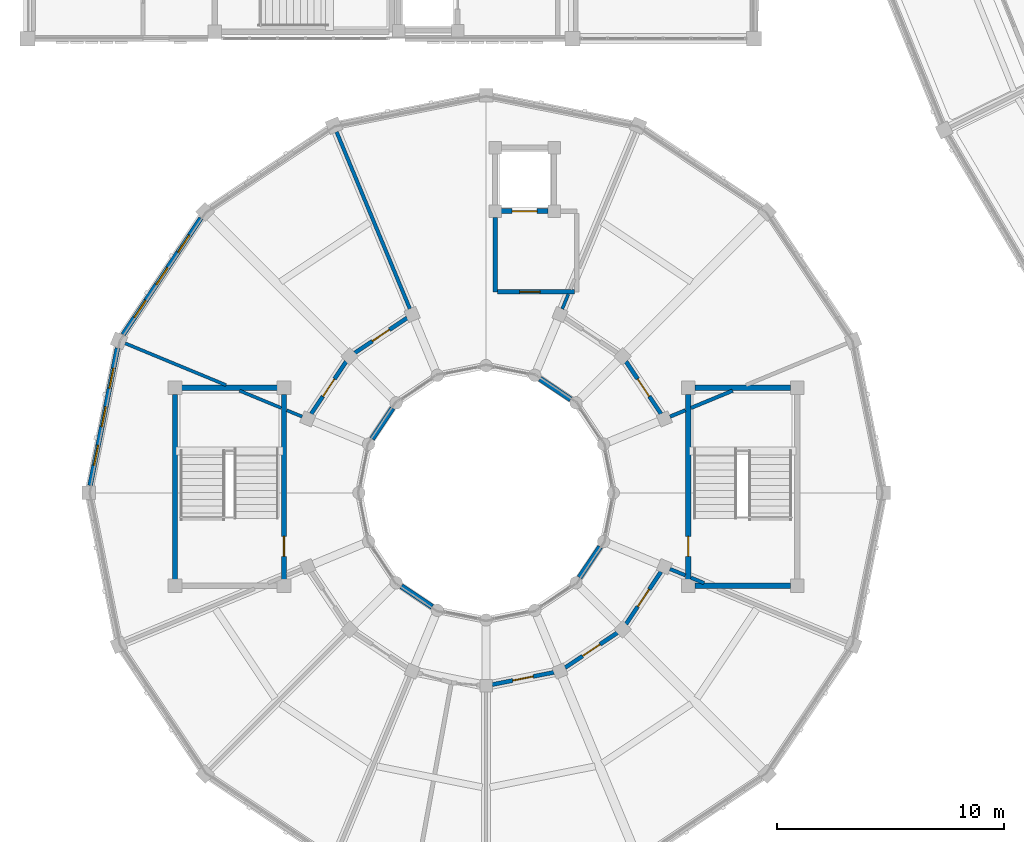
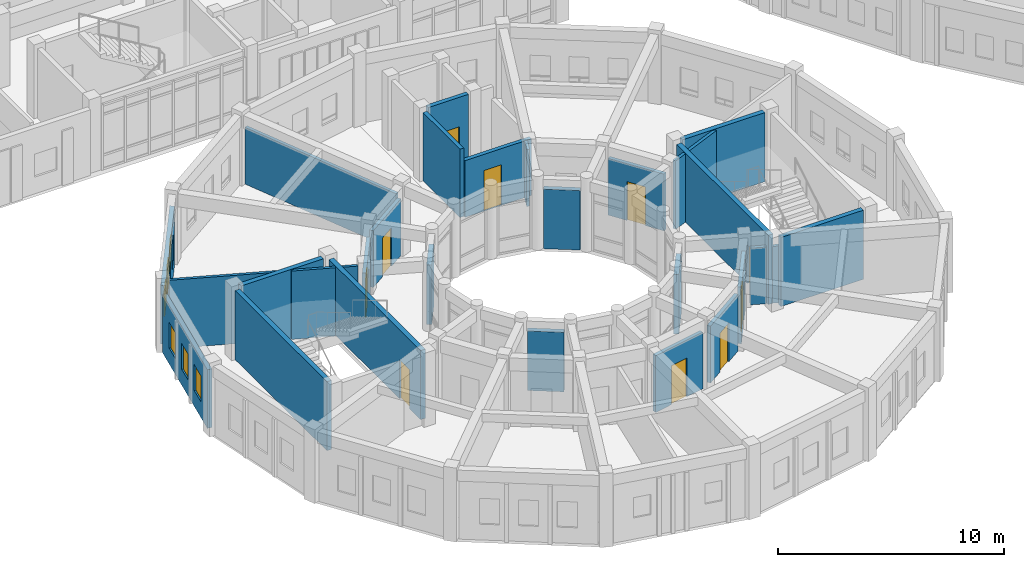
# One storey, part 74 of 112: 30 walls, 10 doors, 6 windows, 16 openings.
"""IFC4 building model written with IfcOpenShell, lengths in metres."""

from ifc_helpers import new_model, si_unit, direction, frame, frame_2d, origin, place, context, subcontext, project, spatial, rectangle, extrude, material, layer, layer_set, type_object, element, fill, save


model = new_model("IFC4")

# Units and contexts
model_context = context("Model", 3, precision=1e-05, world=origin(), true_north=direction((0.0, 1.0)))
body_context = subcontext(model_context, "Body", "Model", "MODEL_VIEW")
ifc_project = project(units=[si_unit("LENGTHUNIT", "METRE"), si_unit("AREAUNIT", "SQUARE_METRE"), si_unit("VOLUMEUNIT", "CUBIC_METRE"), si_unit("PLANEANGLEUNIT", "RADIAN"), si_unit("MASSUNIT", "GRAM", prefix="KILO")], contexts=[model_context])

# Site, building, storey
site_placement = place(None, origin())
site = spatial("IfcSite", under=ifc_project, at=site_placement, CompositionType="ELEMENT")
building_placement = place(site_placement, origin())
building = spatial("IfcBuilding", under=site, at=building_placement, Name="Celadon Cloister-Ring School", CompositionType="ELEMENT")
storey_placement = place(building_placement, frame((0.0, 0.0, 8.5)))
storey = spatial("IfcBuildingStorey", under=building, at=storey_placement, Name="L02", CompositionType="ELEMENT", Elevation=8.5)

# Walls
ifc_material_1 = material(Name="Rendered concrete blockwork", Category="masonry")
ifc_layer_1 = layer(ifc_material_1, 0.239990234375)
ifc_layer_set_1 = layer_set([ifc_layer_1], Name="Rendered concrete blockwork")
wall_type_1 = type_object("IfcWallType", Name="WT-EX3", PredefinedType="SOLIDWALL", material=ifc_layer_set_1)
for number, where, z_axis, x_axis, name in (
    (1, (23.929931640625, 24.114013671875, 0.0), (0.0, 0.0, 1.0), (-0.83165874011, 0.555287078904, 0.0), "Exterior Wall 0334"),
    (2, (16.0859375, 23.72998046875, 0.0), (0.0, 0.0, 1.0), (-0.555287078904, -0.83165874011, 0.0), "Exterior Wall 0339"),
    (3, (16.469970703125, 15.885986328125, 0.0), (0.0, 0.0, 1.0), (0.83165874011, -0.555287078904, 0.0), "Exterior Wall 0344"),
    (4, (24.31396484375, 16.27001953125, 0.0), (0.0, 0.0, 1.0), (0.555287078904, 0.83165874011, 0.0), "Exterior Wall 0349"),
):
    element("IfcWall", number, at=place(storey_placement, frame(where, z_axis=z_axis, x_axis=x_axis)), inside=storey, type_object=wall_type_1, Name=name, PredefinedType="SOLIDWALL", context=body_context, shape_type="SweptSolid", body=[
        extrude(rectangle(XDim=1.631591796875, YDim=0.239990234375, at=frame_2d((0.81591796875, 0.0))), origin(), (0.0, 0.0, 1.0), 3.221923828125),
    ])

# Wall, openings, windows
ifc_material_2 = material(Name="Perforated terracotta clay brick masonry", Category="masonry")
ifc_layer_2 = layer(ifc_material_2, 0.219970703125)
ifc_layer_set_2 = layer_set([ifc_layer_2], Name="Perforated terracotta clay brick masonry")
wall_type_2 = type_object("IfcWallType", Name="WT-EX4", PredefinedType="SOLIDWALL", material=ifc_layer_set_2)
wall_1_placement = place(storey_placement, frame((4.215087890625, 26.970947265625, 0.0), z_axis=(0.0, 0.0, 1.0), x_axis=(0.555658736667, 0.831410469242, 0.0)))
wall_1 = element("IfcWall", 5, at=wall_1_placement, inside=storey, type_object=wall_type_2, Name="Exterior Wall 0338", PredefinedType="SOLIDWALL", context=body_context, shape_type="SweptSolid", body=[
    extrude(rectangle(XDim=6.169189453125, YDim=0.219970703125, at=frame_2d((3.08447265625, 0.0))), origin(), (0.0, 0.0, 1.0), 3.172119140625),
])
opening_1_placement = place(wall_1_placement, frame((0.906982421875, 0.0, 0.85009765625)))
opening_1 = element("IfcOpeningElement", 6, at=opening_1_placement, cuts=wall_1, Name="Opening WN-21", PredefinedType="OPENING", context=body_context, shape_type="SweptSolid", body=[
    extrude(rectangle(XDim=0.89990234375, YDim=1.39990234375, at=frame_2d((0.449951171875, 0.699951171875))), frame((0.0, 0.1201171875, 0.0), z_axis=(0.0, -1.0, 0.0), x_axis=(1.0, 0.0, 0.0)), (0.0, 0.0, 1.0), 0.239990234375),
])
opening_2_placement = place(wall_1_placement, frame((2.635009765625, 0.0, 0.85009765625)))
opening_2 = element("IfcOpeningElement", 7, at=opening_2_placement, cuts=wall_1, Name="Opening WN-21", PredefinedType="OPENING", context=body_context, shape_type="SweptSolid", body=[
    extrude(rectangle(XDim=0.89990234375, YDim=1.39990234375, at=frame_2d((0.449951171875, 0.699951171875))), frame((0.0, 0.1201171875, 0.0), z_axis=(0.0, -1.0, 0.0), x_axis=(1.0, 0.0, 0.0)), (0.0, 0.0, 1.0), 0.239990234375),
])
opening_3_placement = place(wall_1_placement, frame((4.362060546875, 0.0, 0.85009765625)))
opening_3 = element("IfcOpeningElement", 8, at=opening_3_placement, cuts=wall_1, Name="Opening WN-21", PredefinedType="OPENING", context=body_context, shape_type="SweptSolid", body=[
    extrude(rectangle(XDim=0.89990234375, YDim=1.39990234375, at=frame_2d((0.449951171875, 0.699951171875))), frame((0.0, 0.1201171875, 0.0), z_axis=(0.0, -1.0, 0.0), x_axis=(1.0, 0.0, 0.0)), (0.0, 0.0, 1.0), 0.239990234375),
])
ifc_material_3 = material(Name="Tempered laminated insulating glass", Category="glass")
window_type = type_object("IfcWindowType", Name="WN-21", PartitioningType="SINGLE_PANEL", PredefinedType="WINDOW", material=ifc_material_3)
window_1_placement = place(opening_1_placement, origin())
window_1 = element("IfcWindow", 9, at=window_1_placement, inside=storey, type_object=window_type, Name="Window 0869", OverallHeight=1.39990234375, OverallWidth=0.89990234375, PartitioningType="SINGLE_PANEL", PredefinedType="WINDOW", context=body_context, shape_type="SweptSolid", body=[
    extrude(rectangle(XDim=0.89990234375, YDim=1.39990234375, at=frame_2d((0.449951171875, 0.699951171875))), frame((0.0, 0.030029296875, 0.0), z_axis=(0.0, -1.0, 0.0), x_axis=(1.0, 0.0, 0.0)), (0.0, 0.0, 1.0), 0.06005859375),
])
fill(opening_1, window_1)
window_2_placement = place(opening_2_placement, origin())
window_2 = element("IfcWindow", 10, at=window_2_placement, inside=storey, type_object=window_type, Name="Window 0870", OverallHeight=1.39990234375, OverallWidth=0.89990234375, PartitioningType="SINGLE_PANEL", PredefinedType="WINDOW", context=body_context, shape_type="SweptSolid", body=[
    extrude(rectangle(XDim=0.89990234375, YDim=1.39990234375, at=frame_2d((0.449951171875, 0.699951171875))), frame((0.0, 0.030029296875, 0.0), z_axis=(0.0, -1.0, 0.0), x_axis=(1.0, 0.0, 0.0)), (0.0, 0.0, 1.0), 0.06005859375),
])
fill(opening_2, window_2)
window_3_placement = place(opening_3_placement, origin())
window_3 = element("IfcWindow", 11, at=window_3_placement, inside=storey, type_object=window_type, Name="Window 0871", OverallHeight=1.39990234375, OverallWidth=0.89990234375, PartitioningType="SINGLE_PANEL", PredefinedType="WINDOW", context=body_context, shape_type="SweptSolid", body=[
    extrude(rectangle(XDim=0.89990234375, YDim=1.39990234375, at=frame_2d((0.449951171875, 0.699951171875))), frame((0.0, 0.030029296875, 0.0), z_axis=(0.0, -1.0, 0.0), x_axis=(1.0, 0.0, 0.0)), (0.0, 0.0, 1.0), 0.06005859375),
])
fill(opening_3, window_3)

wall_2_placement = place(storey_placement, frame((2.763916015625, 20.322998046875, 0.0), z_axis=(0.0, 0.0, 1.0), x_axis=(0.195164813773, 0.980770460131, 0.0)))
wall_2 = element("IfcWall", 12, at=wall_2_placement, inside=storey, type_object=wall_type_2, Name="Exterior Wall 0340", PredefinedType="SOLIDWALL", context=body_context, shape_type="SweptSolid", body=[
    extrude(rectangle(XDim=6.169677734375, YDim=0.219970703125, at=frame_2d((3.0849609375, 0.0))), origin(), (0.0, 0.0, 1.0), 3.172119140625),
])
opening_4_placement = place(wall_2_placement, frame((0.906982421875, 0.0, 0.85009765625)))
opening_4 = element("IfcOpeningElement", 13, at=opening_4_placement, cuts=wall_2, Name="Opening WN-21", PredefinedType="OPENING", context=body_context, shape_type="SweptSolid", body=[
    extrude(rectangle(XDim=0.89990234375, YDim=1.39990234375, at=frame_2d((0.449951171875, 0.699951171875))), frame((0.0, 0.1201171875, 0.0), z_axis=(0.0, -1.0, 0.0), x_axis=(1.0, 0.0, 0.0)), (0.0, 0.0, 1.0), 0.239990234375),
])
opening_5_placement = place(wall_2_placement, frame((2.635009765625, 0.0, 0.85009765625)))
opening_5 = element("IfcOpeningElement", 14, at=opening_5_placement, cuts=wall_2, Name="Opening WN-21", PredefinedType="OPENING", context=body_context, shape_type="SweptSolid", body=[
    extrude(rectangle(XDim=0.89990234375, YDim=1.39990234375, at=frame_2d((0.449951171875, 0.699951171875))), frame((0.0, 0.1201171875, 0.0), z_axis=(0.0, -1.0, 0.0), x_axis=(1.0, 0.0, 0.0)), (0.0, 0.0, 1.0), 0.239990234375),
])
opening_6_placement = place(wall_2_placement, frame((4.362060546875, 0.0, 0.85009765625)))
opening_6 = element("IfcOpeningElement", 15, at=opening_6_placement, cuts=wall_2, Name="Opening WN-21", PredefinedType="OPENING", context=body_context, shape_type="SweptSolid", body=[
    extrude(rectangle(XDim=0.89990234375, YDim=1.39990234375, at=frame_2d((0.449951171875, 0.699951171875))), frame((0.0, 0.1201171875, 0.0), z_axis=(0.0, -1.0, 0.0), x_axis=(1.0, 0.0, 0.0)), (0.0, 0.0, 1.0), 0.239990234375),
])
window_4_placement = place(opening_4_placement, origin())
window_4 = element("IfcWindow", 16, at=window_4_placement, inside=storey, type_object=window_type, Name="Window 0872", OverallHeight=1.39990234375, OverallWidth=0.89990234375, PartitioningType="SINGLE_PANEL", PredefinedType="WINDOW", context=body_context, shape_type="SweptSolid", body=[
    extrude(rectangle(XDim=0.89990234375, YDim=1.39990234375, at=frame_2d((0.449951171875, 0.699951171875))), frame((0.0, 0.030029296875, 0.0), z_axis=(0.0, -1.0, 0.0), x_axis=(1.0, 0.0, 0.0)), (0.0, 0.0, 1.0), 0.06005859375),
])
fill(opening_4, window_4)
window_5_placement = place(opening_5_placement, origin())
window_5 = element("IfcWindow", 17, at=window_5_placement, inside=storey, type_object=window_type, Name="Window 0873", OverallHeight=1.39990234375, OverallWidth=0.89990234375, PartitioningType="SINGLE_PANEL", PredefinedType="WINDOW", context=body_context, shape_type="SweptSolid", body=[
    extrude(rectangle(XDim=0.89990234375, YDim=1.39990234375, at=frame_2d((0.449951171875, 0.699951171875))), frame((0.0, 0.030029296875, 0.0), z_axis=(0.0, -1.0, 0.0), x_axis=(1.0, 0.0, 0.0)), (0.0, 0.0, 1.0), 0.06005859375),
])
fill(opening_5, window_5)
window_6_placement = place(opening_6_placement, origin())
window_6 = element("IfcWindow", 18, at=window_6_placement, inside=storey, type_object=window_type, Name="Window 0874", OverallHeight=1.39990234375, OverallWidth=0.89990234375, PartitioningType="SINGLE_PANEL", PredefinedType="WINDOW", context=body_context, shape_type="SweptSolid", body=[
    extrude(rectangle(XDim=0.89990234375, YDim=1.39990234375, at=frame_2d((0.449951171875, 0.699951171875))), frame((0.0, 0.030029296875, 0.0), z_axis=(0.0, -1.0, 0.0), x_axis=(1.0, 0.0, 0.0)), (0.0, 0.0, 1.0), 0.06005859375),
])
fill(opening_6, window_6)

# Wall
ifc_material_4 = material(Name="Plastered hollow concrete masonry", Category="masonry")
ifc_layer_3 = layer(ifc_material_4, 0.199951171875)
ifc_layer_set_3 = layer_set([ifc_layer_3], Name="Plastered hollow concrete masonry")
wall_type_3 = type_object("IfcWallType", Name="WT-PT1", PredefinedType="PARTITIONING", material=ifc_layer_set_3)
wall_3_placement = place(storey_placement, frame((20.60009765625, 28.85009765625, 0.0), z_axis=(0.0, 0.0, 1.0), x_axis=(0.0, 1.0, 0.0)))
element("IfcWall", 19, at=wall_3_placement, inside=storey, type_object=wall_type_3, Name="Interior Wall 0388", PredefinedType="PARTITIONING", context=body_context, shape_type="SweptSolid", body=[
    extrude(rectangle(XDim=3.282958984375, YDim=0.199951171875, at=frame_2d((1.6416015625, 0.0))), origin(), (0.0, 0.0, 1.0), 3.699951171875),
])

# Wall, opening, door
wall_4_placement = place(storey_placement, frame((24.096923828125, 28.85009765625, 0.0), z_axis=(0.0, 0.0, 1.0), x_axis=(-1.0, 0.0, 0.0)))
wall_4 = element("IfcWall", 20, at=wall_4_placement, inside=storey, type_object=wall_type_3, Name="Interior Wall 0390", PredefinedType="PARTITIONING", context=body_context, shape_type="SweptSolid", body=[
    extrude(rectangle(XDim=3.39404296875, YDim=0.199951171875, at=frame_2d((1.697021484375, 0.0))), origin(), (0.0, 0.0, 1.0), 3.072021484375),
])
opening_7_placement = place(wall_4_placement, frame((1.51904296875, 0.0, 0.0)))
opening_7 = element("IfcOpeningElement", 21, at=opening_7_placement, cuts=wall_4, Name="Opening D-0107", PredefinedType="OPENING", context=body_context, shape_type="SweptSolid", body=[
    extrude(rectangle(XDim=0.89990234375, YDim=2.199951171875, at=frame_2d((0.449951171875, 1.10009765625))), frame((0.0, 0.10986328125, 0.0), z_axis=(0.0, -1.0, 0.0), x_axis=(1.0, 0.0, 0.0)), (0.0, 0.0, 1.0), 0.219970703125),
])
ifc_material_5 = material(Name="Solid-core fire-rated hardwood leaf", Category="wood")
door_type_1 = type_object("IfcDoorType", Name="DT-06", OperationType="NOTDEFINED", PredefinedType="DOOR", material=ifc_material_5)
door_1_placement = place(opening_7_placement, origin())
door_1 = element("IfcDoor", 22, at=door_1_placement, inside=storey, type_object=door_type_1, Name="Door D-0107", OperationType="SINGLE_SWING_LEFT", OverallHeight=2.199951171875, OverallWidth=0.89990234375, PredefinedType="DOOR", context=body_context, shape_type="SweptSolid", body=[
    extrude(rectangle(XDim=0.89990234375, YDim=2.199951171875, at=frame_2d((0.449951171875, 1.10009765625))), frame((0.0, 0.02490234375, 0.0), z_axis=(0.0, -1.0, 0.0), x_axis=(1.0, 0.0, 0.0)), (0.0, 0.0, 1.0), 0.050048828125),
])
fill(opening_7, door_1)

ifc_material_6 = material(Name="Plastered hollow concrete masonry", Category="masonry")
ifc_layer_4 = layer(ifc_material_6, 0.179931640625)
ifc_layer_set_4 = layer_set([ifc_layer_4], Name="Plastered hollow concrete masonry")
wall_type_4 = type_object("IfcWallType", Name="WT-PT2", PredefinedType="PARTITIONING", material=ifc_layer_set_4)
wall_5_placement = place(storey_placement, frame((27.902099609375, 23.47900390625, 0.0), z_axis=(0.0, 0.0, 1.0), x_axis=(-0.555797002478, 0.831318045056, 0.0)))
wall_5 = element("IfcWall", 23, at=wall_5_placement, inside=storey, type_object=wall_type_4, Name="Interior Wall 0836", PredefinedType="PARTITIONING", context=body_context, shape_type="SweptSolid", body=[
    extrude(rectangle(XDim=2.772705078125, YDim=0.179931640625, at=frame_2d((1.38623046875, 0.0))), origin(), (0.0, 0.0, 1.0), 3.072021484375),
])
opening_8_placement = place(wall_5_placement, frame((0.926025390625, 0.0, 0.0)))
opening_8 = element("IfcOpeningElement", 24, at=opening_8_placement, cuts=wall_5, Name="Opening D-0300", PredefinedType="OPENING", context=body_context, shape_type="SweptSolid", body=[
    extrude(rectangle(XDim=0.919921875, YDim=2.10009765625, at=frame_2d((0.4599609375, 1.050048828125))), frame((0.0, 0.10009765625, 0.0), z_axis=(0.0, -1.0, 0.0), x_axis=(1.0, 0.0, 0.0)), (0.0, 0.0, 1.0), 0.199951171875),
])
ifc_material_7 = material(Name="Solid-core fire-rated hardwood leaf", Category="wood")
door_type_2 = type_object("IfcDoorType", Name="DT-02", OperationType="NOTDEFINED", PredefinedType="DOOR", material=ifc_material_7)
door_2_placement = place(opening_8_placement, origin())
door_2 = element("IfcDoor", 25, at=door_2_placement, inside=storey, type_object=door_type_2, Name="Door D-0300", OperationType="SINGLE_SWING_RIGHT", OverallHeight=2.10009765625, OverallWidth=0.919921875, PredefinedType="DOOR", context=body_context, shape_type="SweptSolid", body=[
    extrude(rectangle(XDim=0.919921875, YDim=2.10009765625, at=frame_2d((0.4599609375, 1.050048828125))), frame((0.0, 0.02490234375, 0.0), z_axis=(0.0, -1.0, 0.0), x_axis=(1.0, 0.0, 0.0)), (0.0, 0.0, 1.0), 0.050048828125),
])
fill(opening_8, door_2)

wall_6_placement = place(storey_placement, frame((16.720947265625, 27.701904296875, 0.0), z_axis=(0.0, 0.0, 1.0), x_axis=(-0.831318045056, -0.555797002478, 0.0)))
wall_6 = element("IfcWall", 26, at=wall_6_placement, inside=storey, type_object=wall_type_4, Name="Interior Wall 0838", PredefinedType="PARTITIONING", context=body_context, shape_type="SweptSolid", body=[
    extrude(rectangle(XDim=2.772705078125, YDim=0.179931640625, at=frame_2d((1.38623046875, 0.0))), origin(), (0.0, 0.0, 1.0), 3.072021484375),
])
opening_9_placement = place(wall_6_placement, frame((0.926025390625, 0.0, 0.0)))
opening_9 = element("IfcOpeningElement", 27, at=opening_9_placement, cuts=wall_6, Name="Opening D-0302", PredefinedType="OPENING", context=body_context, shape_type="SweptSolid", body=[
    extrude(rectangle(XDim=0.919921875, YDim=2.10009765625, at=frame_2d((0.4599609375, 1.050048828125))), frame((0.0, 0.10009765625, 0.0), z_axis=(0.0, -1.0, 0.0), x_axis=(1.0, 0.0, 0.0)), (0.0, 0.0, 1.0), 0.199951171875),
])
door_3_placement = place(opening_9_placement, origin())
door_3 = element("IfcDoor", 28, at=door_3_placement, inside=storey, type_object=door_type_2, Name="Door D-0302", OperationType="SINGLE_SWING_RIGHT", OverallHeight=2.10009765625, OverallWidth=0.919921875, PredefinedType="DOOR", context=body_context, shape_type="SweptSolid", body=[
    extrude(rectangle(XDim=0.919921875, YDim=2.10009765625, at=frame_2d((0.4599609375, 1.050048828125))), frame((0.0, 0.02490234375, 0.0), z_axis=(0.0, -1.0, 0.0), x_axis=(1.0, 0.0, 0.0)), (0.0, 0.0, 1.0), 0.050048828125),
])
fill(opening_9, door_3)

wall_7_placement = place(storey_placement, frame((14.0390625, 25.783935546875, 0.0), z_axis=(0.0, 0.0, 1.0), x_axis=(-0.555797002478, -0.831318045056, 0.0)))
wall_7 = element("IfcWall", 29, at=wall_7_placement, inside=storey, type_object=wall_type_4, Name="Interior Wall 0839", PredefinedType="PARTITIONING", context=body_context, shape_type="SweptSolid", body=[
    extrude(rectangle(XDim=2.772705078125, YDim=0.179931640625, at=frame_2d((1.38623046875, 0.0))), origin(), (0.0, 0.0, 1.0), 3.072021484375),
])
opening_10_placement = place(wall_7_placement, frame((0.926025390625, 0.0, 0.0)))
opening_10 = element("IfcOpeningElement", 30, at=opening_10_placement, cuts=wall_7, Name="Opening D-0303", PredefinedType="OPENING", context=body_context, shape_type="SweptSolid", body=[
    extrude(rectangle(XDim=0.919921875, YDim=2.10009765625, at=frame_2d((0.4599609375, 1.050048828125))), frame((0.0, 0.10009765625, 0.0), z_axis=(0.0, -1.0, 0.0), x_axis=(1.0, 0.0, 0.0)), (0.0, 0.0, 1.0), 0.199951171875),
])
door_4_placement = place(opening_10_placement, origin())
door_4 = element("IfcDoor", 31, at=door_4_placement, inside=storey, type_object=door_type_2, Name="Door D-0303", OperationType="SINGLE_SWING_LEFT", OverallHeight=2.10009765625, OverallWidth=0.919921875, PredefinedType="DOOR", context=body_context, shape_type="SweptSolid", body=[
    extrude(rectangle(XDim=0.919921875, YDim=2.10009765625, at=frame_2d((0.4599609375, 1.050048828125))), frame((0.0, 0.02490234375, 0.0), z_axis=(0.0, -1.0, 0.0), x_axis=(1.0, 0.0, 0.0)), (0.0, 0.0, 1.0), 0.050048828125),
])
fill(opening_10, door_4)

wall_8_placement = place(storey_placement, frame((20.467041015625, 11.552978515625, 0.0), z_axis=(0.0, 0.0, 1.0), x_axis=(0.980773264811, 0.195150718759, 0.0)))
wall_8 = element("IfcWall", 32, at=wall_8_placement, inside=storey, type_object=wall_type_4, Name="Interior Wall 0844", PredefinedType="PARTITIONING", context=body_context, shape_type="SweptSolid", body=[
    extrude(rectangle(XDim=2.772216796875, YDim=0.179931640625, at=frame_2d((1.38623046875, 0.0))), origin(), (0.0, 0.0, 1.0), 3.072021484375),
])
opening_11_placement = place(wall_8_placement, frame((0.926025390625, 0.0, 0.0)))
opening_11 = element("IfcOpeningElement", 33, at=opening_11_placement, cuts=wall_8, Name="Opening D-0308", PredefinedType="OPENING", context=body_context, shape_type="SweptSolid", body=[
    extrude(rectangle(XDim=0.919921875, YDim=2.10009765625, at=frame_2d((0.4599609375, 1.050048828125))), frame((0.0, 0.10009765625, 0.0), z_axis=(0.0, -1.0, 0.0), x_axis=(1.0, 0.0, 0.0)), (0.0, 0.0, 1.0), 0.199951171875),
])
door_5_placement = place(opening_11_placement, origin())
door_5 = element("IfcDoor", 34, at=door_5_placement, inside=storey, type_object=door_type_2, Name="Door D-0308", OperationType="SINGLE_SWING_RIGHT", OverallHeight=2.10009765625, OverallWidth=0.919921875, PredefinedType="DOOR", context=body_context, shape_type="SweptSolid", body=[
    extrude(rectangle(XDim=0.919921875, YDim=2.10009765625, at=frame_2d((0.4599609375, 1.050048828125))), frame((0.0, 0.02490234375, 0.0), z_axis=(0.0, -1.0, 0.0), x_axis=(1.0, 0.0, 0.0)), (0.0, 0.0, 1.0), 0.050048828125),
])
fill(opening_11, door_5)

wall_9_placement = place(storey_placement, frame((23.678955078125, 12.298095703125, 0.0), z_axis=(0.0, 0.0, 1.0), x_axis=(0.831318045056, 0.555797002478, 0.0)))
wall_9 = element("IfcWall", 35, at=wall_9_placement, inside=storey, type_object=wall_type_4, Name="Interior Wall 0845", PredefinedType="PARTITIONING", context=body_context, shape_type="SweptSolid", body=[
    extrude(rectangle(XDim=2.772705078125, YDim=0.179931640625, at=frame_2d((1.38623046875, 0.0))), origin(), (0.0, 0.0, 1.0), 3.072021484375),
])
opening_12_placement = place(wall_9_placement, frame((0.926025390625, 0.0, 0.0)))
opening_12 = element("IfcOpeningElement", 36, at=opening_12_placement, cuts=wall_9, Name="Opening D-0309", PredefinedType="OPENING", context=body_context, shape_type="SweptSolid", body=[
    extrude(rectangle(XDim=0.919921875, YDim=2.10009765625, at=frame_2d((0.4599609375, 1.050048828125))), frame((0.0, 0.10009765625, 0.0), z_axis=(0.0, -1.0, 0.0), x_axis=(1.0, 0.0, 0.0)), (0.0, 0.0, 1.0), 0.199951171875),
])
door_6_placement = place(opening_12_placement, origin())
door_6 = element("IfcDoor", 37, at=door_6_placement, inside=storey, type_object=door_type_2, Name="Door D-0309", OperationType="SINGLE_SWING_LEFT", OverallHeight=2.10009765625, OverallWidth=0.919921875, PredefinedType="DOOR", context=body_context, shape_type="SweptSolid", body=[
    extrude(rectangle(XDim=0.919921875, YDim=2.10009765625, at=frame_2d((0.4599609375, 1.050048828125))), frame((0.0, 0.02490234375, 0.0), z_axis=(0.0, -1.0, 0.0), x_axis=(1.0, 0.0, 0.0)), (0.0, 0.0, 1.0), 0.050048828125),
])
fill(opening_12, door_6)

wall_10_placement = place(storey_placement, frame((26.361083984375, 14.216064453125, 0.0), z_axis=(0.0, 0.0, 1.0), x_axis=(0.555797002478, 0.831318045056, 0.0)))
wall_10 = element("IfcWall", 38, at=wall_10_placement, inside=storey, type_object=wall_type_4, Name="Interior Wall 0846", PredefinedType="PARTITIONING", context=body_context, shape_type="SweptSolid", body=[
    extrude(rectangle(XDim=2.772705078125, YDim=0.179931640625, at=frame_2d((1.38623046875, 0.0))), origin(), (0.0, 0.0, 1.0), 3.072021484375),
])
opening_13_placement = place(wall_10_placement, frame((0.926025390625, 0.0, 0.0)))
opening_13 = element("IfcOpeningElement", 39, at=opening_13_placement, cuts=wall_10, Name="Opening D-0310", PredefinedType="OPENING", context=body_context, shape_type="SweptSolid", body=[
    extrude(rectangle(XDim=0.919921875, YDim=2.10009765625, at=frame_2d((0.4599609375, 1.050048828125))), frame((0.0, 0.10009765625, 0.0), z_axis=(0.0, -1.0, 0.0), x_axis=(1.0, 0.0, 0.0)), (0.0, 0.0, 1.0), 0.199951171875),
])
door_7_placement = place(opening_13_placement, origin())
door_7 = element("IfcDoor", 40, at=door_7_placement, inside=storey, type_object=door_type_2, Name="Door D-0310", OperationType="SINGLE_SWING_RIGHT", OverallHeight=2.10009765625, OverallWidth=0.919921875, PredefinedType="DOOR", context=body_context, shape_type="SweptSolid", body=[
    extrude(rectangle(XDim=0.919921875, YDim=2.10009765625, at=frame_2d((0.4599609375, 1.050048828125))), frame((0.0, 0.02490234375, 0.0), z_axis=(0.0, -1.0, 0.0), x_axis=(1.0, 0.0, 0.0)), (0.0, 0.0, 1.0), 0.050048828125),
])
fill(opening_13, door_7)

# Walls
ifc_material_8 = material(Name="Plastered hollow concrete masonry", Category="masonry")
ifc_layer_5 = layer(ifc_material_8, 0.159912109375)
ifc_layer_set_5 = layer_set([ifc_layer_5], Name="Plastered hollow concrete masonry")
wall_type_5 = type_object("IfcWallType", Name="WT-PT3", PredefinedType="PARTITIONING", material=ifc_layer_set_5)
wall_11_placement = place(storey_placement, frame((28.300048828125, 23.35498046875, 0.0), z_axis=(0.0, 0.0, 1.0), x_axis=(0.924069600435, 0.382224245113, 0.0)))
element("IfcWall", 41, at=wall_11_placement, inside=storey, type_object=wall_type_5, Name="Interior Wall 0816", PredefinedType="PARTITIONING", context=body_context, shape_type="SweptSolid", body=[
    extrude(rectangle(XDim=0.732666015625, YDim=0.159912109375, at=frame_2d((0.3662109375, 0.0))), origin(), (0.0, 0.0, 1.0), 3.699951171875),
])
wall_12_placement = place(storey_placement, frame((29.222900390625, 23.737060546875, 0.0), z_axis=(0.0, 0.0, 1.0), x_axis=(0.923817443679, 0.382833293686, 0.0)))
element("IfcWall", 42, at=wall_12_placement, inside=storey, type_object=wall_type_5, Name="Interior Wall 0817", PredefinedType="PARTITIONING", context=body_context, shape_type="SweptSolid", body=[
    extrude(rectangle(XDim=1.985107421875, YDim=0.159912109375, at=frame_2d((0.99267578125, 0.0))), origin(), (0.0, 0.0, 1.0), 3.699951171875),
])
wall_13_placement = place(storey_placement, frame((16.844970703125, 28.10009765625, 0.0), z_axis=(0.0, 0.0, 1.0), x_axis=(-0.382683896966, 0.923879340067, 0.0)))
element("IfcWall", 43, at=wall_13_placement, inside=storey, type_object=wall_type_5, Name="Interior Wall 0822", PredefinedType="PARTITIONING", context=body_context, shape_type="SweptSolid", body=[
    extrude(rectangle(XDim=8.4404296875, YDim=0.159912109375, at=frame_2d((4.22021484375, 0.0))), origin(), (0.0, 0.0, 1.0), 3.072021484375),
])
wall_14_placement = place(storey_placement, frame((28.300048828125, 16.64501953125, 0.0), z_axis=(0.0, 0.0, 1.0), x_axis=(0.924069600435, -0.382224245113, 0.0)))
element("IfcWall", 44, at=wall_14_placement, inside=storey, type_object=wall_type_5, Name="Interior Wall 0832", PredefinedType="PARTITIONING", context=body_context, shape_type="SweptSolid", body=[
    extrude(rectangle(XDim=0.732666015625, YDim=0.159912109375, at=frame_2d((0.3662109375, 0.0))), origin(), (0.0, 0.0, 1.0), 3.072021484375),
])
wall_15_placement = place(storey_placement, frame((29.222900390625, 16.262939453125, 0.0), z_axis=(0.0, 0.0, 1.0), x_axis=(0.923812676193, -0.382844797933, 0.0)))
element("IfcWall", 45, at=wall_15_placement, inside=storey, type_object=wall_type_5, Name="Interior Wall 0833", PredefinedType="PARTITIONING", context=body_context, shape_type="SweptSolid", body=[
    extrude(rectangle(XDim=0.626953125, YDim=0.159912109375, at=frame_2d((0.3134765625, 0.0))), origin(), (0.0, 0.0, 1.0), 3.072021484375),
])
ifc_material_9 = material(Name="Acoustic mineral-wool drywall partition")
ifc_layer_6 = layer(ifc_material_9, 0.139892578125)
ifc_layer_set_6 = layer_set([ifc_layer_6], Name="Acoustic mineral-wool drywall partition")
wall_type_6 = type_object("IfcWallType", Name="WT-PT4", PredefinedType="PARTITIONING", material=ifc_layer_set_6)
wall_16_placement = place(storey_placement, frame((23.554931640625, 28.10009765625, 0.0), z_axis=(0.0, 0.0, 1.0), x_axis=(0.38278283439, 0.923838352579, 0.0)))
element("IfcWall", 46, at=wall_16_placement, inside=storey, type_object=wall_type_6, Name="Interior Wall 0819", PredefinedType="PARTITIONING", context=body_context, shape_type="SweptSolid", body=[
    extrude(rectangle(XDim=0.7001953125, YDim=0.139892578125, at=frame_2d((0.35009765625, 0.0))), origin(), (0.0, 0.0, 1.0), 3.072021484375),
])
wall_17_placement = place(storey_placement, frame((12.10009765625, 23.35498046875, 0.0), z_axis=(0.0, 0.0, 1.0), x_axis=(-0.924069600435, 0.382224245113, 0.0)))
element("IfcWall", 47, at=wall_17_placement, inside=storey, type_object=wall_type_6, Name="Interior Wall 0823", PredefinedType="PARTITIONING", context=body_context, shape_type="SweptSolid", body=[
    extrude(rectangle(XDim=0.732666015625, YDim=0.139892578125, at=frame_2d((0.3662109375, 0.0))), origin(), (0.0, 0.0, 1.0), 3.699951171875),
])
wall_18_placement = place(storey_placement, frame((11.177001953125, 23.737060546875, 0.0), z_axis=(0.0, 0.0, 1.0), x_axis=(-0.923817443679, 0.382833293686, 0.0)))
element("IfcWall", 48, at=wall_18_placement, inside=storey, type_object=wall_type_6, Name="Interior Wall 0824", PredefinedType="PARTITIONING", context=body_context, shape_type="SweptSolid", body=[
    extrude(rectangle(XDim=1.985107421875, YDim=0.139892578125, at=frame_2d((0.99267578125, 0.0))), origin(), (0.0, 0.0, 1.0), 3.699951171875),
])
wall_19_placement = place(storey_placement, frame((8.7490234375, 24.742919921875, 0.0), z_axis=(0.0, 0.0, 1.0), x_axis=(-0.923877739946, 0.382687759972, 0.0)))
element("IfcWall", 49, at=wall_19_placement, inside=storey, type_object=wall_type_6, Name="Interior Wall 0825", PredefinedType="PARTITIONING", context=body_context, shape_type="SweptSolid", body=[
    extrude(rectangle(XDim=4.8134765625, YDim=0.139892578125, at=frame_2d((2.40673828125, 0.0))), origin(), (0.0, 0.0, 1.0), 3.699951171875),
])
ifc_material_10 = material(Name="Concrete C40/50", Category="concrete")
ifc_layer_7 = layer(ifc_material_10, 0.239990234375)
ifc_layer_set_7 = layer_set([ifc_layer_7], Name="Concrete C40/50")
wall_type_7 = type_object("IfcWallType", Name="WT-SH1", PredefinedType="SHEAR", material=ifc_layer_set_7)
wall_20_placement = place(storey_placement, frame((6.5, 16.19189453125, 0.0), z_axis=(0.0, 0.0, 1.0), x_axis=(0.0, 1.0, 0.0)))
element("IfcWall", 50, at=wall_20_placement, inside=storey, type_object=wall_type_7, Name="Interior Wall 0057", PredefinedType="SHEAR", context=body_context, shape_type="SweptSolid", body=[
    extrude(rectangle(XDim=8.135986328125, YDim=0.239990234375, at=frame_2d((4.06787109375, 0.0))), origin(), (0.0, 0.0, 1.0), 3.739990234375),
])

# Wall, opening, door
wall_21_placement = place(storey_placement, frame((11.300048828125, 24.327880859375, 0.0), z_axis=(0.0, 0.0, 1.0), x_axis=(0.0, -1.0, 0.0)))
wall_21 = element("IfcWall", 51, at=wall_21_placement, inside=storey, type_object=wall_type_7, Name="Interior Wall 0058", PredefinedType="SHEAR", context=body_context, shape_type="SweptSolid", body=[
    extrude(rectangle(XDim=8.135986328125, YDim=0.239990234375, at=frame_2d((4.06787109375, 0.0))), origin(), (0.0, 0.0, 1.0), 3.739990234375),
])
opening_14_placement = place(wall_21_placement, frame((6.243896484375, 0.0, 0.0)))
opening_14 = element("IfcOpeningElement", 52, at=opening_14_placement, cuts=wall_21, Name="Opening D-0047", PredefinedType="OPENING", context=body_context, shape_type="SweptSolid", body=[
    extrude(rectangle(XDim=0.8798828125, YDim=2.10009765625, at=frame_2d((0.43994140625, 1.050048828125))), frame((0.0, 0.1298828125, 0.0), z_axis=(0.0, -1.0, 0.0), x_axis=(1.0, 0.0, 0.0)), (0.0, 0.0, 1.0), 0.260009765625),
])
ifc_material_11 = material(Name="Solid-core fire-rated hardwood leaf", Category="wood")
door_type_3 = type_object("IfcDoorType", Name="DT-01", OperationType="NOTDEFINED", PredefinedType="DOOR", material=ifc_material_11)
door_8_placement = place(opening_14_placement, origin())
door_8 = element("IfcDoor", 53, at=door_8_placement, inside=storey, type_object=door_type_3, Name="Door D-0047", OperationType="SINGLE_SWING_LEFT", OverallHeight=2.10009765625, OverallWidth=0.8798828125, PredefinedType="DOOR", context=body_context, shape_type="SweptSolid", body=[
    extrude(rectangle(XDim=0.8798828125, YDim=2.10009765625, at=frame_2d((0.43994140625, 1.050048828125))), frame((0.0, 0.02490234375, 0.0), z_axis=(0.0, -1.0, 0.0), x_axis=(1.0, 0.0, 0.0)), (0.0, 0.0, 1.0), 0.050048828125),
])
fill(opening_14, door_8)

# Wall
wall_22_placement = place(storey_placement, frame((11.008056640625, 24.6201171875, 0.0), z_axis=(0.0, 0.0, 1.0), x_axis=(-1.0, 0.0, 0.0)))
element("IfcWall", 54, at=wall_22_placement, inside=storey, type_object=wall_type_7, Name="Interior Wall 0060", PredefinedType="SHEAR", context=body_context, shape_type="SweptSolid", body=[
    extrude(rectangle(XDim=4.216064453125, YDim=0.239990234375, at=frame_2d((2.10791015625, 0.0))), origin(), (0.0, 0.0, 1.0), 3.739990234375),
])

# Wall, opening, door
wall_23_placement = place(storey_placement, frame((29.10009765625, 16.19189453125, 0.0), z_axis=(0.0, 0.0, 1.0), x_axis=(0.0, 1.0, 0.0)))
wall_23 = element("IfcWall", 55, at=wall_23_placement, inside=storey, type_object=wall_type_7, Name="Interior Wall 0073", PredefinedType="SHEAR", context=body_context, shape_type="SweptSolid", body=[
    extrude(rectangle(XDim=8.135986328125, YDim=0.239990234375, at=frame_2d((4.06787109375, 0.0))), origin(), (0.0, 0.0, 1.0), 3.739990234375),
])
opening_15_placement = place(wall_23_placement, frame((1.011962890625, 0.0, 0.0)))
opening_15 = element("IfcOpeningElement", 56, at=opening_15_placement, cuts=wall_23, Name="Opening D-0051", PredefinedType="OPENING", context=body_context, shape_type="SweptSolid", body=[
    extrude(rectangle(XDim=0.8798828125, YDim=2.10009765625, at=frame_2d((0.43994140625, 1.050048828125))), frame((0.0, 0.1298828125, 0.0), z_axis=(0.0, -1.0, 0.0), x_axis=(1.0, 0.0, 0.0)), (0.0, 0.0, 1.0), 0.260009765625),
])
door_9_placement = place(opening_15_placement, origin())
door_9 = element("IfcDoor", 57, at=door_9_placement, inside=storey, type_object=door_type_3, Name="Door D-0051", OperationType="SINGLE_SWING_LEFT", OverallHeight=2.10009765625, OverallWidth=0.8798828125, PredefinedType="DOOR", context=body_context, shape_type="SweptSolid", body=[
    extrude(rectangle(XDim=0.8798828125, YDim=2.10009765625, at=frame_2d((0.43994140625, 1.050048828125))), frame((0.0, 0.02490234375, 0.0), z_axis=(0.0, -1.0, 0.0), x_axis=(1.0, 0.0, 0.0)), (0.0, 0.0, 1.0), 0.050048828125),
])
fill(opening_15, door_9)

# Walls
for number, where, z_axis, x_axis, name in (
    (58, (33.60791015625, 15.89990234375, 0.0), (0.0, 0.0, 1.0), (-1.0, 0.0, 0.0), "Interior Wall 0075"),
    (59, (33.60791015625, 24.6201171875, 0.0), (0.0, 0.0, 1.0), (-1.0, 0.0, 0.0), "Interior Wall 0076"),
):
    element("IfcWall", number, at=place(storey_placement, frame(where, z_axis=z_axis, x_axis=x_axis)), inside=storey, type_object=wall_type_7, Name=name, PredefinedType="SHEAR", context=body_context, shape_type="SweptSolid", body=[
        extrude(rectangle(XDim=4.2158203125, YDim=0.239990234375, at=frame_2d((2.10791015625, 0.0))), origin(), (0.0, 0.0, 1.0), 3.739990234375),
    ])

# Wall, opening, door
ifc_material_12 = material(Name="Concrete C40/50", Category="concrete")
ifc_layer_8 = layer(ifc_material_12, 0.219970703125)
ifc_layer_set_8 = layer_set([ifc_layer_8], Name="Concrete C40/50")
wall_type_8 = type_object("IfcWallType", Name="WT-SH2", PredefinedType="SHEAR", material=ifc_layer_set_8)
wall_24_placement = place(storey_placement, frame((20.866943359375, 32.39990234375, 0.0), z_axis=(0.0, 0.0, 1.0), x_axis=(1.0, 0.0, 0.0)))
wall_24 = element("IfcWall", 60, at=wall_24_placement, inside=storey, type_object=wall_type_8, Name="Interior Wall 0383", PredefinedType="SHEAR", context=body_context, shape_type="SweptSolid", body=[
    extrude(rectangle(XDim=2.066162109375, YDim=0.219970703125, at=frame_2d((1.033203125, 0.0))), origin(), (0.0, 0.0, 1.0), 3.739990234375),
])
opening_16_placement = place(wall_24_placement, frame((0.48291015625, 0.0, 0.0)))
opening_16 = element("IfcOpeningElement", 61, at=opening_16_placement, cuts=wall_24, Name="Opening LD-023", PredefinedType="OPENING", context=body_context, shape_type="SweptSolid", body=[
    extrude(rectangle(XDim=1.10009765625, YDim=2.14990234375, at=frame_2d((0.550048828125, 1.074951171875))), frame((0.0, 0.1201171875, 0.0), z_axis=(0.0, -1.0, 0.0), x_axis=(1.0, 0.0, 0.0)), (0.0, 0.0, 1.0), 0.239990234375),
])
ifc_material_13 = material(Name="Galvanised fire-rated hollow steel leaf", Category="steel")
door_type_4 = type_object("IfcDoorType", Name="DT-LD1", OperationType="DOUBLE_DOOR_SLIDING", PredefinedType="DOOR", material=ifc_material_13)
door_10_placement = place(opening_16_placement, origin())
door_10 = element("IfcDoor", 62, at=door_10_placement, inside=storey, type_object=door_type_4, Name="Door LD-023", OperationType="DOUBLE_DOOR_SLIDING", OverallHeight=2.14990234375, OverallWidth=1.10009765625, PredefinedType="DOOR", context=body_context, shape_type="SweptSolid", body=[
    extrude(rectangle(XDim=1.10009765625, YDim=2.14990234375, at=frame_2d((0.550048828125, 1.074951171875))), frame((0.0, 0.02490234375, 0.0), z_axis=(0.0, -1.0, 0.0), x_axis=(1.0, 0.0, 0.0)), (0.0, 0.0, 1.0), 0.050048828125),
])
fill(opening_16, door_10)

save(model, "model.ifc")
